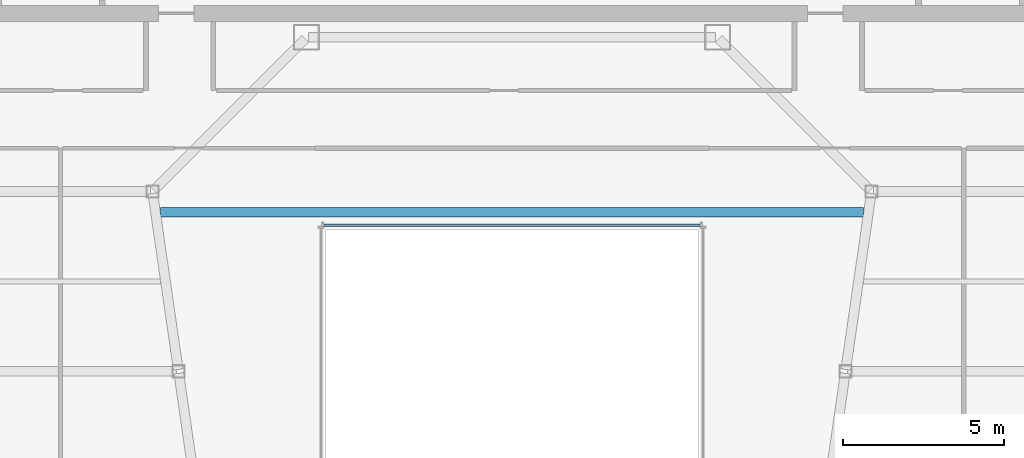
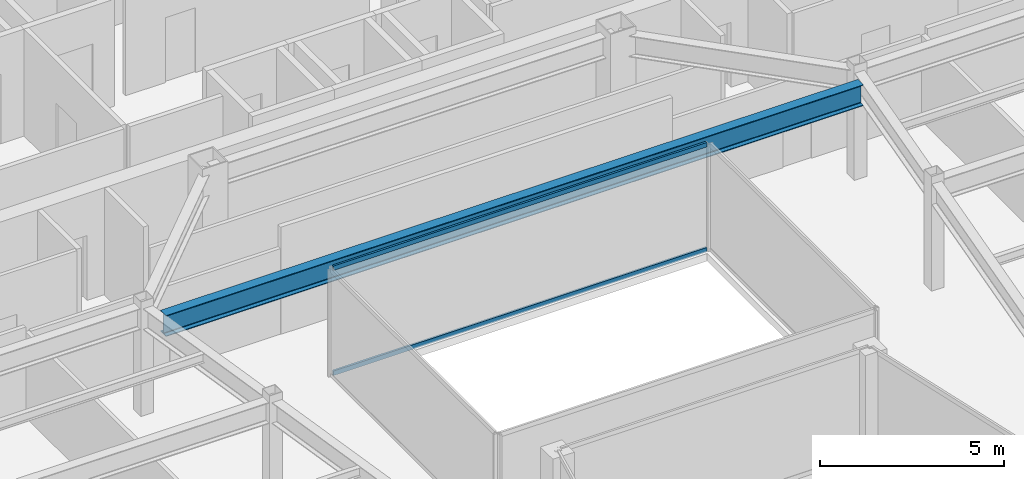
# One storey, part 14 of 35: 2 members, 1 beam, 1 element without a shape of its own.
"""IFC4 building model written with IfcOpenShell, lengths in metres."""

import ifcopenshell
import ifcopenshell.guid

model = None  # the IFC model being written
_history = None  # IfcOwnerHistory: only IFC2X3 demands one
_inside = {}  # id of a spatial element -> (the spatial element, [elements in it])
_under = {}  # id of a project, library or spatial element -> (it, [spatial elements below it])
_declared = {}  # id of a project -> (the project, [libraries it declares])
_typed = {}  # id of a type object -> (the type object, [elements of that type])
_made_of = {}  # id of a material, layer set ... -> (it, [elements and type objects made of it])


def new_model(schema):
    """Start an empty IFC model of exactly this schema.

    Asked for "IFC4X3", IfcOpenShell would pick the latest addendum, in which some entities
    have other attributes; the version numbers below select the first issue.
    IFC2X3 requires an IfcOwnerHistory on every rooted entity: one is made here for all.
    """
    global model, _history
    if schema == "IFC4X3":
        model = ifcopenshell.file(schema_version=(4, 3, 0, 0))
    else:
        model = ifcopenshell.file(schema=schema)
    _inside.clear()
    _under.clear()
    _declared.clear()
    _typed.clear()
    _made_of.clear()
    _history = None
    if model.schema == "IFC2X3":
        org = make("IfcOrganization", Name="unknown")
        user = make(
            "IfcPersonAndOrganization",
            ThePerson=make("IfcPerson", FamilyName="unknown"),
            TheOrganization=org,
        )
        app = make(
            "IfcApplication",
            ApplicationDeveloper=org,
            Version="unknown",
            ApplicationFullName="unknown",
            ApplicationIdentifier="unknown",
        )
        _history = make(
            "IfcOwnerHistory",
            OwningUser=user,
            OwningApplication=app,
            ChangeAction="ADDED",
            CreationDate=0,
        )
    return model


def make(cls, **values):
    """One entity of the class cls with the attributes given. An attribute that is None is left unset."""
    return model.create_entity(
        cls, **{name: value for name, value in values.items() if value is not None}
    )


def rooted(cls, **values):
    """An entity with a GlobalId (a new one), such as an element, a storey or a relation."""
    return make(cls, GlobalId=ifcopenshell.guid.new(), OwnerHistory=_history, **values)


def si_unit(unit_type, name, prefix=None):
    """IfcSIUnit, for example si_unit("LENGTHUNIT", "METRE", prefix="MILLI")."""
    return make("IfcSIUnit", UnitType=unit_type, Prefix=prefix, Name=name)


def assignment(units):
    """IfcUnitAssignment: the units of a project."""
    return None if units is None else make("IfcUnitAssignment", Units=units)


def point(xyz):
    """IfcCartesianPoint."""
    return None if xyz is None else make("IfcCartesianPoint", Coordinates=xyz)


def direction(xyz):
    """IfcDirection."""
    return None if xyz is None else make("IfcDirection", DirectionRatios=xyz)


def frame(location, z_axis=None, x_axis=None):
    """IfcAxis2Placement3D, a coordinate frame: its origin and axes. An axis left out is left unset."""
    return make(
        "IfcAxis2Placement3D",
        Location=point(location),
        Axis=direction(z_axis),
        RefDirection=direction(x_axis),
    )


def frame_2d(location, x_axis=None):
    """IfcAxis2Placement2D, a coordinate frame in the plane: its origin and x axis."""
    return make(
        "IfcAxis2Placement2D", Location=point(location), RefDirection=direction(x_axis)
    )


def origin():
    """The frame at (0, 0, 0) with its axes left unset."""
    return frame((0.0, 0.0, 0.0))


def origin_2d():
    """The frame at (0, 0) in the plane with its x axis left unset."""
    return frame_2d((0.0, 0.0))


def place(relative_to, where):
    """IfcLocalPlacement: puts the frame where relative to a parent placement (None: the world)."""
    return make(
        "IfcLocalPlacement", PlacementRelTo=relative_to, RelativePlacement=where
    )


def context(
    kind, dimensions, precision=None, world=None, true_north=None, identifier=None
):
    """IfcGeometricRepresentationContext, for example the 3D "Model" context."""
    return make(
        "IfcGeometricRepresentationContext",
        ContextIdentifier=identifier,
        ContextType=kind,
        CoordinateSpaceDimension=dimensions,
        Precision=precision,
        WorldCoordinateSystem=world,
        TrueNorth=true_north,
    )


def subcontext(parent, identifier, kind, view, scale=None):
    """IfcGeometricRepresentationSubContext, for example "Body" below "Model"."""
    return make(
        "IfcGeometricRepresentationSubContext",
        ContextIdentifier=identifier,
        ContextType=kind,
        ParentContext=parent,
        TargetScale=scale,
        TargetView=view,
    )


def project(units=None, contexts=None):
    """IfcProject with its units and contexts."""
    return rooted(
        "IfcProject",
        Name="project",
        RepresentationContexts=contexts,
        UnitsInContext=assignment(units),
    )


def spatial(cls, under=None, at=None, **own):
    """A site, building, storey or space (cls), placed at a placement, below another one or the project."""
    s = rooted(cls, ObjectPlacement=at, **own)
    if under is not None:
        _under.setdefault(under.id(), (under, []))[1].append(s)
    return s


def profile(cls, at=None, kind="AREA", **sizes):
    """A parametric profile (cls). Its sizes go by their IFC names, for example OverallWidth=200.0."""
    return make(cls, ProfileType=kind, Position=at, **sizes)


def hollow_rectangle(**sizes):
    """IfcRectangleHollowProfileDef."""
    return profile("IfcRectangleHollowProfileDef", **sizes)


def i_section(**sizes):
    """IfcIShapeProfileDef."""
    return profile("IfcIShapeProfileDef", **sizes)


def extrude(swept, where, along, depth):
    """IfcExtrudedAreaSolid: the profile swept, set in the frame where, extruded along a direction by depth."""
    return make(
        "IfcExtrudedAreaSolid",
        SweptArea=swept,
        Position=where,
        ExtrudedDirection=direction(along),
        Depth=depth,
    )


def shape(context_of_items, identifier, shape_type, items):
    """IfcShapeRepresentation: the items that make up one representation, for example the "Body"."""
    return make(
        "IfcShapeRepresentation",
        ContextOfItems=context_of_items,
        RepresentationIdentifier=identifier,
        RepresentationType=shape_type,
        Items=items,
    )


def material(Name=None, Category=None):
    """IfcMaterial."""
    return make("IfcMaterial", Name=Name, Category=Category)


def material_profile(
    of_material, cross_section, Name=None, Category=None, Priority=None
):
    """IfcMaterialProfile: a cross section and its material."""
    return make(
        "IfcMaterialProfile",
        Name=Name,
        Material=of_material,
        Profile=cross_section,
        Priority=Priority,
        Category=Category,
    )


def profile_set(profiles, Name=None, composite=None):
    """IfcMaterialProfileSet."""
    return make(
        "IfcMaterialProfileSet",
        Name=Name,
        MaterialProfiles=profiles,
        CompositeProfile=composite,
    )


def made_of(thing, what):
    """Note that an element or type object is made of a material, layer set ...; save() writes the relation."""
    if what is not None:
        _made_of.setdefault(what.id(), (what, []))[1].append(thing)
    return thing


def type_object(cls, material=None, **own):
    """A type object (cls), such as IfcWallType, which elements share."""
    return made_of(rooted(cls, **own), material)


def element(
    cls,
    number,
    at=None,
    inside=None,
    cuts=None,
    type_object=None,
    material=None,
    context=None,
    identifier="Body",
    shape_type=None,
    held_by="IfcProductDefinitionShape",
    body=None,
    shapes=None,
    **own,
):
    """One element of the class cls, such as IfcWall. Its Tag is "e" and its number.

    at: its placement. inside: the storey or other place that contains it. cuts: it is an
    opening in that element (IfcRelVoidsElement). A single representation is given by context,
    identifier, shape_type and body (its items); several are given by shapes. held_by: the class
    of the entity that holds the representations. save() writes the other relations.
    """
    e = rooted(cls, Tag="e%d" % number, ObjectPlacement=at, **own)
    if body is not None:
        shapes = [shape(context, identifier, shape_type, body)]
    if shapes is not None:
        e.Representation = make(held_by, Representations=shapes)
    if inside is not None:
        _inside.setdefault(inside.id(), (inside, []))[1].append(e)
    if cuts is not None:
        rooted(
            "IfcRelVoidsElement", RelatingBuildingElement=cuts, RelatedOpeningElement=e
        )
    if type_object is not None:
        _typed.setdefault(type_object.id(), (type_object, []))[1].append(e)
    return made_of(e, material)


def aggregate(whole, parts):
    """IfcRelAggregates: a whole, such as a stair, and the parts it consists of."""
    return rooted("IfcRelAggregates", RelatingObject=whole, RelatedObjects=parts)


def save(model, path):
    """Write the relations noted so far, then the file.

    IfcRelAggregates (storeys below a building ...), IfcRelContainedInSpatialStructure (elements
    in a storey), IfcRelDefinesByType, IfcRelAssociatesMaterial and IfcRelDeclares: one each for
    every whole, place, type object, material and project.
    """
    for whole, parts in _under.values():
        aggregate(whole, parts)
    for where, things in _inside.values():
        rooted(
            "IfcRelContainedInSpatialStructure",
            RelatedElements=things,
            RelatingStructure=where,
        )
    for kind, things in _typed.values():
        rooted("IfcRelDefinesByType", RelatedObjects=things, RelatingType=kind)
    for what, things in _made_of.values():
        rooted("IfcRelAssociatesMaterial", RelatedObjects=things, RelatingMaterial=what)
    for by, libraries in _declared.values():
        rooted("IfcRelDeclares", RelatingContext=by, RelatedDefinitions=libraries)
    model.write(path)


model = new_model("IFC4")

# Units and contexts
model_context = context("Model", 3, precision=1e-05, world=origin(), true_north=direction((0.0, 1.0)))
body_context = subcontext(model_context, "Body", "Model", "MODEL_VIEW")
ifc_project = project(units=[si_unit("LENGTHUNIT", "METRE"), si_unit("AREAUNIT", "SQUARE_METRE"), si_unit("VOLUMEUNIT", "CUBIC_METRE"), si_unit("PLANEANGLEUNIT", "RADIAN"), si_unit("MASSUNIT", "GRAM", prefix="KILO")], contexts=[model_context])

# Site, building, storey
site_placement = place(None, origin())
site = spatial("IfcSite", under=ifc_project, at=site_placement, CompositionType="ELEMENT")
building_placement = place(site_placement, origin())
building = spatial("IfcBuilding", under=site, at=building_placement, Name="Saevonmaru Cultural Tower", CompositionType="ELEMENT")
storey_placement = place(building_placement, frame((0.0, 0.0, 217.0)))
storey = spatial("IfcBuildingStorey", under=building, at=storey_placement, Name="L50", CompositionType="ELEMENT", Elevation=217.0)

# Beam
ifc_material_1 = material(Name="Steel SM355", Category="steel")
ifc_material_profile_1 = material_profile(ifc_material_1, i_section(OverallWidth=0.300048828125, OverallDepth=0.699951171875, WebThickness=0.012939453125, FlangeThickness=0.02392578125, FilletRadius=0.02587890625, at=origin_2d()), Name="H-700x300x13x24")
ifc_profile_set_1 = profile_set([ifc_material_profile_1], Name="Steel SM355")
beam_type = type_object("IfcBeamType", Name="BM-G-H700", PredefinedType="BEAM", material=ifc_profile_set_1)
beam_placement = place(storey_placement, frame((19.05859375, 36.9599609375, 3.199951171875), z_axis=(1.0, 0.0, 0.0), x_axis=(0.0, 1.0, 0.0)))
element("IfcBeam", 1, at=beam_placement, inside=storey, type_object=beam_type, Name="L50 Central Link Girder", PredefinedType="BEAM", context=body_context, shape_type="SweptSolid", body=[
    extrude(i_section(OverallWidth=0.300048828125, OverallDepth=0.699951171875, WebThickness=0.012939453125, FlangeThickness=0.02392578125, FilletRadius=0.02587890625, at=origin_2d()), origin(), (0.0, 0.0, 1.0), 21.8828125),
])

# Curtain wall, members
ifc_material_2 = material(Name="Satin Bronze Anodised Aluminium", Category="aluminium")
curtain_wall_type = type_object("IfcCurtainWallType", Name="CW-ATR-GLZ", PredefinedType="NOTDEFINED", material=ifc_material_2)
curtain_wall_placement = place(storey_placement, origin())
curtain_wall = element("IfcCurtainWall", 2, at=curtain_wall_placement, inside=storey, type_object=curtain_wall_type, Name="L50 Vertical Atrium Glazed Smoke Screen 3", PredefinedType="NOTDEFINED")
ifc_material_profile_2 = material_profile(ifc_material_2, hollow_rectangle(XDim=0.06494140625, YDim=0.14990234375, WallThickness=0.00390625, at=origin_2d()), Name="ALU-TRAN-150x65x4")
ifc_profile_set_2 = profile_set([ifc_material_profile_2], Name="Satin Bronze Anodised Aluminium")
member_type = type_object("IfcMemberType", Name="TR-CW-INT-150x65", PredefinedType="USERDEFINED", material=ifc_profile_set_2)
member_1_placement = place(storey_placement, frame((35.857421875, 36.550048828125, 0.032470703125), z_axis=(-1.0, 0.0, 0.0), x_axis=(0.0, -1.0, 0.0)))
member_1 = element("IfcMember", 3, at=member_1_placement, type_object=member_type, Name="CW-ATR-L50-3 transom 1.1", ObjectType="TRANSOM", PredefinedType="USERDEFINED", context=body_context, shape_type="SweptSolid", body=[
    extrude(hollow_rectangle(XDim=0.06494140625, YDim=0.14990234375, WallThickness=0.00390625, at=origin_2d()), origin(), (0.0, 0.0, 1.0), 11.71484375),
])
member_2_placement = place(storey_placement, frame((35.857421875, 36.550048828125, 3.517578125), z_axis=(-1.0, 0.0, 0.0), x_axis=(0.0, -1.0, 0.0)))
member_2 = element("IfcMember", 4, at=member_2_placement, type_object=member_type, Name="CW-ATR-L50-3 transom 1.2", ObjectType="TRANSOM", PredefinedType="USERDEFINED", context=body_context, shape_type="SweptSolid", body=[
    extrude(hollow_rectangle(XDim=0.06494140625, YDim=0.14990234375, WallThickness=0.00390625, at=origin_2d()), origin(), (0.0, 0.0, 1.0), 11.71484375),
])
aggregate(curtain_wall, [member_1, member_2])

save(model, "model.ifc")
